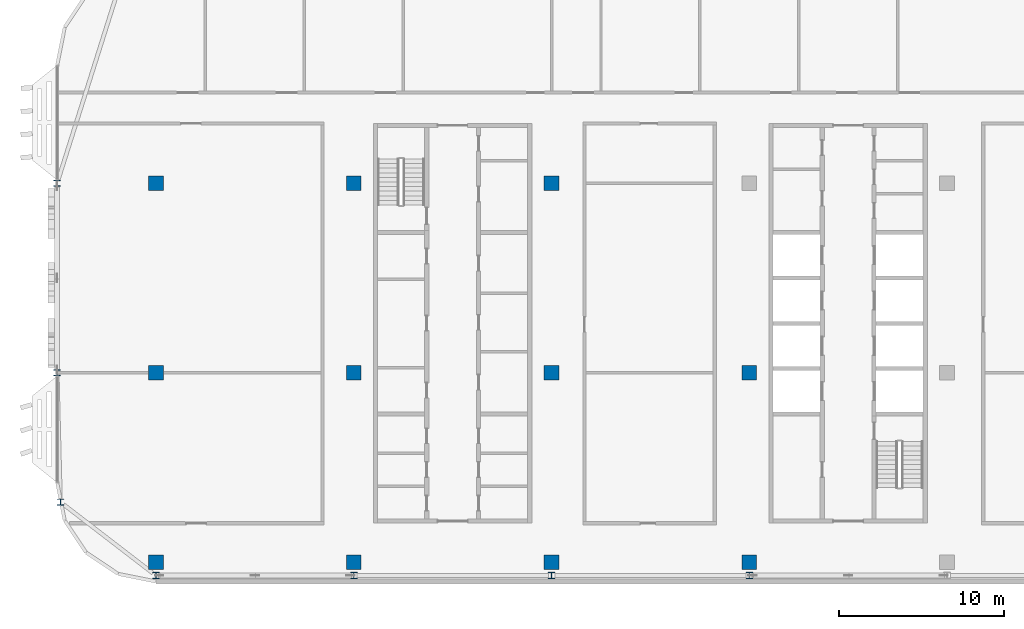
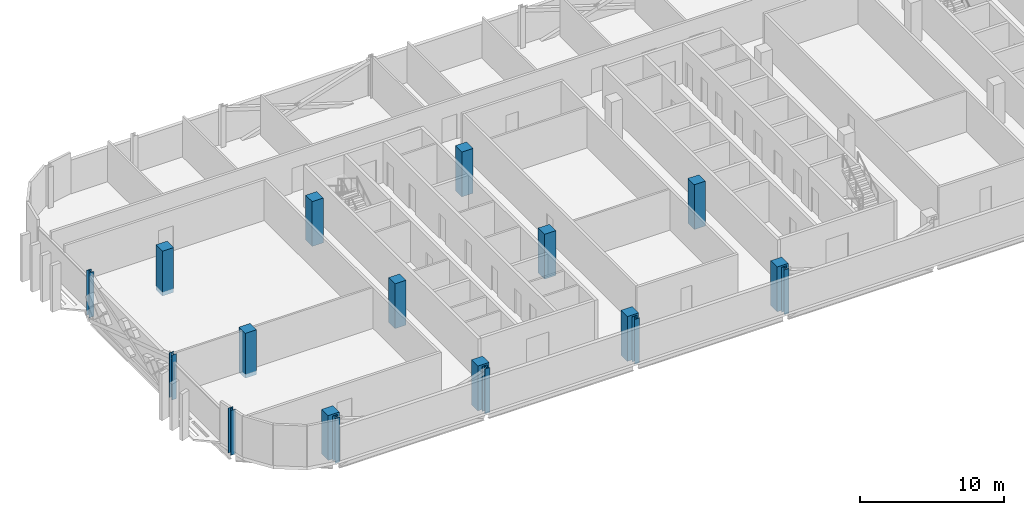
# One storey, part 1 of 25: 18 columns.
"""IFC4 building model written with IfcOpenShell, lengths in metres."""

from ifc_helpers import new_model, si_unit, direction, frame, origin, origin_2d, place, context, subcontext, project, spatial, rectangle, i_section, extrude, material, material_profile, profile_set, type_object, element, save


model = new_model("IFC4")

# Units and contexts
model_context = context("Model", 3, precision=1e-05, world=origin(), true_north=direction((0.0, 1.0)))
body_context = subcontext(model_context, "Body", "Model", "MODEL_VIEW")
ifc_project = project(units=[si_unit("LENGTHUNIT", "METRE"), si_unit("AREAUNIT", "SQUARE_METRE"), si_unit("VOLUMEUNIT", "CUBIC_METRE"), si_unit("PLANEANGLEUNIT", "RADIAN"), si_unit("MASSUNIT", "GRAM", prefix="KILO")], contexts=[model_context])

# Site, building, storey
site_placement = place(None, origin())
site = spatial("IfcSite", under=ifc_project, at=site_placement, CompositionType="ELEMENT")
building_placement = place(site_placement, origin())
building = spatial("IfcBuilding", under=site, at=building_placement, Name="Mahtab Terrace Research Tower", CompositionType="ELEMENT")
storey_placement = place(building_placement, frame((0.0, 0.0, 278.5)))
storey = spatial("IfcBuildingStorey", under=building, at=storey_placement, Name="L68", CompositionType="ELEMENT", Elevation=278.5)

# Columns
ifc_material_1 = material(Name="Concrete C70/85", Category="concrete")
ifc_material_profile_1 = material_profile(ifc_material_1, rectangle(XDim=0.89990234375, YDim=0.89990234375, at=origin_2d()), Name="RC column 900x900")
ifc_profile_set_1 = profile_set([ifc_material_profile_1], Name="Concrete C70/85")
column_type_1 = type_object("IfcColumnType", Name="RC column 900x900", PredefinedType="COLUMN", material=ifc_profile_set_1)
for number, where, z_axis, x_axis, name in (
    (1, (-42.0, -11.5, -0.340087890625), (0.0, 0.0, 1.0), (1.0, 0.0, 0.0), "Column RC-1A L68"),
    (2, (-42.0, 0.0, -0.340087890625), (0.0, 0.0, 1.0), (1.0, 0.0, 0.0), "Column RC-1B L68"),
    (3, (-42.0, 11.5, -0.340087890625), (0.0, 0.0, 1.0), (1.0, 0.0, 0.0), "Column RC-1C L68"),
    (4, (-30.0, -11.5, -0.340087890625), (0.0, 0.0, 1.0), (1.0, 0.0, 0.0), "Column RC-2A L68"),
    (5, (-30.0, 0.0, -0.340087890625), (0.0, 0.0, 1.0), (1.0, 0.0, 0.0), "Column RC-2B L68"),
    (6, (-30.0, 11.5, -0.340087890625), (0.0, 0.0, 1.0), (1.0, 0.0, 0.0), "Column RC-2C L68"),
    (7, (-18.0, -11.5, -0.340087890625), (0.0, 0.0, 1.0), (1.0, 0.0, 0.0), "Column RC-3A L68"),
    (8, (-18.0, 0.0, -0.340087890625), (0.0, 0.0, 1.0), (1.0, 0.0, 0.0), "Column RC-3B L68"),
    (9, (-18.0, 11.5, -0.340087890625), (0.0, 0.0, 1.0), (1.0, 0.0, 0.0), "Column RC-3C L68"),
    (10, (-6.0, -11.5, -0.340087890625), (0.0, 0.0, 1.0), (1.0, 0.0, 0.0), "Column RC-4A L68"),
    (11, (-6.0, 0.0, -0.340087890625), (0.0, 0.0, 1.0), (1.0, 0.0, 0.0), "Column RC-4B L68"),
):
    element("IfcColumn", number, at=place(storey_placement, frame(where, z_axis=z_axis, x_axis=x_axis)), inside=storey, type_object=column_type_1, Name=name, PredefinedType="COLUMN", context=body_context, shape_type="SweptSolid", body=[
        extrude(rectangle(XDim=0.89990234375, YDim=0.89990234375, at=origin_2d()), origin(), (0.0, 0.0, 1.0), 3.800048828125),
    ])
ifc_material_2 = material(Name="Steel ASTM A992 Gr 50", Category="steel")
ifc_material_profile_2 = material_profile(ifc_material_2, i_section(OverallWidth=0.393798828125, OverallDepth=0.3759765625, WebThickness=0.017333984375, FlangeThickness=0.027587890625, at=origin_2d()), Name="W14X145")
ifc_profile_set_2 = profile_set([ifc_material_profile_2], Name="Steel ASTM A992 Gr 50")
column_type_2 = type_object("IfcColumnType", Name="W14x145 column CS14145", PredefinedType="COLUMN", material=ifc_profile_set_2)
for number, where, z_axis, x_axis, name in (
    (12, (-48.0, 11.5, -0.340087890625), (0.0, 0.0, 1.0), (1.0, 0.0, 0.0), "Column SC-009 L68"),
    (13, (-48.0, 0.0, -0.340087890625), (0.0, 0.0, 1.0), (1.0, 0.0, 0.0), "Column SC-010 L68"),
    (14, (-47.798095703125, -7.847900390625, -0.340087890625), (0.0, 0.0, 1.0), (1.0, 0.0, 0.0), "Column SC-080 L68"),
    (15, (-42.0, -12.306884765625, -0.340087890625), (0.0, 0.0, 1.0), (1.0, 0.0, 0.0), "Column SC-081 L68"),
    (16, (-30.0, -12.306884765625, -0.340087890625), (0.0, 0.0, 1.0), (1.0, 0.0, 0.0), "Column SC-082 L68"),
    (17, (-18.0, -12.306884765625, -0.340087890625), (0.0, 0.0, 1.0), (1.0, 0.0, 0.0), "Column SC-083 L68"),
    (18, (-6.0, -12.306884765625, -0.340087890625), (0.0, 0.0, 1.0), (1.0, 0.0, 0.0), "Column SC-084 L68"),
):
    element("IfcColumn", number, at=place(storey_placement, frame(where, z_axis=z_axis, x_axis=x_axis)), inside=storey, type_object=column_type_2, Name=name, PredefinedType="COLUMN", context=body_context, shape_type="SweptSolid", body=[
        extrude(i_section(OverallWidth=0.393798828125, OverallDepth=0.3759765625, WebThickness=0.017333984375, FlangeThickness=0.027587890625, at=origin_2d()), origin(), (0.0, 0.0, 1.0), 3.800048828125),
    ])

save(model, "model.ifc")
